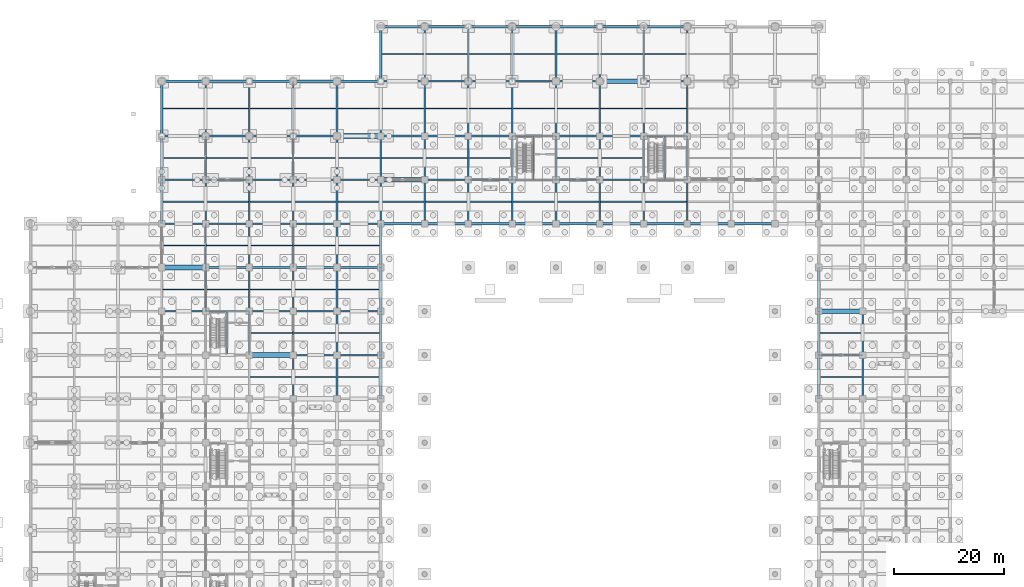
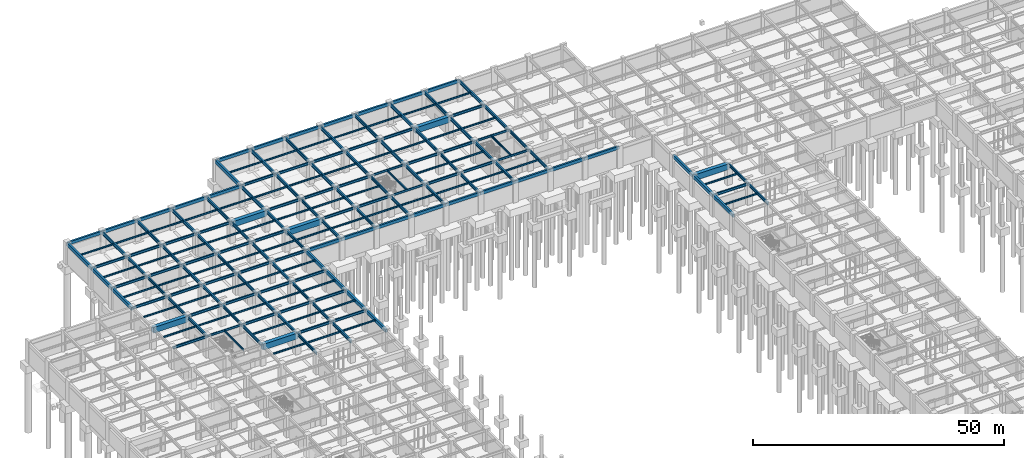
# One storey, part 63 of 97: 203 beams.
"""IFC4 building model written with IfcOpenShell, lengths in metres."""

from ifc_helpers import new_model, si_unit, direction, frame, origin, origin_2d, place, context, subcontext, project, spatial, rectangle, i_section, extrude, material, material_profile, profile_set, type_object, element, save


model = new_model("IFC4")

# Units and contexts
model_context = context("Model", 3, precision=1e-05, world=origin(), true_north=direction((0.0, 1.0)))
body_context = subcontext(model_context, "Body", "Model", "MODEL_VIEW")
ifc_project = project(units=[si_unit("LENGTHUNIT", "METRE"), si_unit("AREAUNIT", "SQUARE_METRE"), si_unit("VOLUMEUNIT", "CUBIC_METRE"), si_unit("PLANEANGLEUNIT", "RADIAN"), si_unit("MASSUNIT", "GRAM", prefix="KILO")], contexts=[model_context])

# Site, building, storey
site_placement = place(None, origin())
site = spatial("IfcSite", under=ifc_project, at=site_placement, CompositionType="ELEMENT")
building_placement = place(site_placement, origin())
building = spatial("IfcBuilding", under=site, at=building_placement, Name="Haebicheon Civic Stadium", CompositionType="ELEMENT")
storey_placement = place(building_placement, frame((0.0, 0.0, -5.39990234375)))
storey = spatial("IfcBuildingStorey", under=building, at=storey_placement, Name="B1", CompositionType="ELEMENT", Elevation=-5.39990234375)

# Beams
ifc_material_1 = material(Name="Steel SM355 (S355)", Category="steel")
ifc_material_profile_1 = material_profile(ifc_material_1, i_section(OverallWidth=0.199951171875, OverallDepth=0.5, WebThickness=0.010009765625, FlangeThickness=0.01611328125, at=origin_2d()), Name="H-500x200x10x16")
ifc_profile_set_1 = profile_set([ifc_material_profile_1], Name="Steel SM355 (S355)")
beam_type_1 = type_object("IfcBeamType", Name="BM-ST-H500", PredefinedType="BEAM", material=ifc_profile_set_1)
for number, where, z_axis, x_axis, name in (
    (1, (32.0, 136.0, 4.849853515625), (1.0, 0.0, 0.0), (0.0, 1.0, 0.0), "B1 beam T/5-6"),
    (2, (88.0, 160.0, 4.849853515625), (1.0, 0.0, 0.0), (0.0, 1.0, 0.0), "B1 beam W/12-13"),
    (3, (88.0, 168.0, 4.849853515625), (1.0, 0.0, 0.0), (0.0, 1.0, 0.0), "B1 beam X/12-13"),
    (4, (112.0, 160.0, 4.849853515625), (1.0, 0.0, 0.0), (0.0, 1.0, 0.0), "B1 beam W/15-16"),
    (5, (112.0, 168.0, 4.849853515625), (1.0, 0.0, 0.0), (0.0, 1.0, 0.0), "B1 beam X/15-16"),
):
    element("IfcBeam", number, at=place(storey_placement, frame(where, z_axis=z_axis, x_axis=x_axis)), inside=storey, type_object=beam_type_1, material=ifc_profile_set_1, Name=name, PredefinedType="BEAM", context=body_context, shape_type="SweptSolid", body=[
        extrude(i_section(OverallWidth=0.199951171875, OverallDepth=0.5, WebThickness=0.010009765625, FlangeThickness=0.01611328125, at=origin_2d()), origin(), (0.0, 0.0, 1.0), 8.0),
    ])
for number, where, z_axis, x_axis, name in (
    (6, (35.8798828125, 128.10009765625, 4.849853515625), (0.0, 1.0, 0.0), (-1.0, 0.0, 0.0), "B1 KC-05 core dividing wall support beam"),
    (7, (91.8798828125, 160.10009765625, 4.849853515625), (0.0, 1.0, 0.0), (-1.0, 0.0, 0.0), "B1 KC-08 core dividing wall support beam"),
    (8, (115.8798828125, 160.10009765625, 4.849853515625), (0.0, 1.0, 0.0), (-1.0, 0.0, 0.0), "B1 KC-09 core dividing wall support beam"),
):
    element("IfcBeam", number, at=place(storey_placement, frame(where, z_axis=z_axis, x_axis=x_axis)), inside=storey, type_object=beam_type_1, material=ifc_profile_set_1, Name=name, PredefinedType="BEAM", context=body_context, shape_type="SweptSolid", body=[
        extrude(i_section(OverallWidth=0.199951171875, OverallDepth=0.5, WebThickness=0.010009765625, FlangeThickness=0.01611328125, at=origin_2d()), origin(), (0.0, 0.0, 1.0), 7.7998046875),
    ])
ifc_material_2 = material(Name="Steel SM355 (S355)", Category="steel")
ifc_material_profile_2 = material_profile(ifc_material_2, i_section(OverallWidth=0.300048828125, OverallDepth=0.60009765625, WebThickness=0.011962890625, FlangeThickness=0.02001953125, at=origin_2d()), Name="H-600x300x12x20")
ifc_profile_set_2 = profile_set([ifc_material_profile_2], Name="Steel SM355 (S355)")
beam_type_2 = type_object("IfcBeamType", Name="BM-ST-H600A", PredefinedType="BEAM", material=ifc_profile_set_2)
for number, where, z_axis, x_axis, name in (
    (9, (24.0, 136.0, 4.7998046875), (1.0, 0.0, 0.0), (0.0, 1.0, 0.0), "B1 beam T/4-5"),
    (10, (24.0, 152.0, 4.7998046875), (1.0, 0.0, 0.0), (0.0, 1.0, 0.0), "B1 beam V/4-5"),
    (11, (24.0, 160.0, 4.7998046875), (1.0, 0.0, 0.0), (0.0, 1.0, 0.0), "B1 beam W/4-5"),
    (12, (24.0, 168.0, 4.7998046875), (1.0, 0.0, 0.0), (0.0, 1.0, 0.0), "B1 beam X/4-5"),
    (13, (32.0, 144.0, 4.7998046875), (1.0, 0.0, 0.0), (0.0, 1.0, 0.0), "B1 beam U/5-6"),
    (14, (32.0, 152.0, 4.7998046875), (1.0, 0.0, 0.0), (0.0, 1.0, 0.0), "B1 beam V/5-6"),
    (15, (32.0, 160.0, 4.7998046875), (1.0, 0.0, 0.0), (0.0, 1.0, 0.0), "B1 beam W/5-6"),
    (16, (32.0, 168.0, 4.7998046875), (1.0, 0.0, 0.0), (0.0, 1.0, 0.0), "B1 beam X/5-6"),
    (17, (40.0, 136.0, 4.7998046875), (1.0, 0.0, 0.0), (0.0, 1.0, 0.0), "B1 beam T/6-7"),
    (18, (40.0, 144.0, 4.7998046875), (1.0, 0.0, 0.0), (0.0, 1.0, 0.0), "B1 beam U/6-7"),
    (19, (40.0, 152.0, 4.7998046875), (1.0, 0.0, 0.0), (0.0, 1.0, 0.0), "B1 beam V/6-7"),
    (20, (40.0, 160.0, 4.7998046875), (1.0, 0.0, 0.0), (0.0, 1.0, 0.0), "B1 beam W/6-7"),
    (21, (40.0, 168.0, 4.7998046875), (1.0, 0.0, 0.0), (0.0, 1.0, 0.0), "B1 beam X/6-7"),
    (22, (48.0, 128.0, 4.7998046875), (1.0, 0.0, 0.0), (0.0, 1.0, 0.0), "B1 beam S/7-8"),
    (23, (48.0, 136.0, 4.7998046875), (1.0, 0.0, 0.0), (0.0, 1.0, 0.0), "B1 beam T/7-8"),
    (24, (48.0, 144.0, 4.7998046875), (1.0, 0.0, 0.0), (0.0, 1.0, 0.0), "B1 beam U/7-8"),
    (25, (48.0, 152.0, 4.7998046875), (1.0, 0.0, 0.0), (0.0, 1.0, 0.0), "B1 beam V/7-8"),
    (26, (48.0, 160.0, 4.7998046875), (1.0, 0.0, 0.0), (0.0, 1.0, 0.0), "B1 beam W/7-8"),
    (27, (48.0, 168.0, 4.7998046875), (1.0, 0.0, 0.0), (0.0, 1.0, 0.0), "B1 beam X/7-8"),
    (28, (56.0, 128.0, 4.7998046875), (1.0, 0.0, 0.0), (0.0, 1.0, 0.0), "B1 beam S/8-9"),
    (29, (56.0, 136.0, 4.7998046875), (1.0, 0.0, 0.0), (0.0, 1.0, 0.0), "B1 beam T/8-9"),
    (30, (56.0, 144.0, 4.7998046875), (1.0, 0.0, 0.0), (0.0, 1.0, 0.0), "B1 beam U/8-9"),
    (31, (56.0, 152.0, 4.7998046875), (1.0, 0.0, 0.0), (0.0, 1.0, 0.0), "B1 beam V/8-9"),
    (32, (56.0, 160.0, 4.7998046875), (1.0, 0.0, 0.0), (0.0, 1.0, 0.0), "B1 beam W/8-9"),
    (33, (64.0, 168.0, 4.7998046875), (1.0, 0.0, 0.0), (0.0, 1.0, 0.0), "B1 beam X/9-10"),
    (34, (64.0, 178.0, 4.7998046875), (1.0, 0.0, 0.0), (0.0, 1.0, 0.0), "B1 beam Y/9-10"),
    (35, (72.0, 160.0, 4.7998046875), (1.0, 0.0, 0.0), (0.0, 1.0, 0.0), "B1 beam W/10-11"),
    (36, (72.0, 168.0, 4.7998046875), (1.0, 0.0, 0.0), (0.0, 1.0, 0.0), "B1 beam X/10-11"),
    (37, (72.0, 178.0, 4.7998046875), (1.0, 0.0, 0.0), (0.0, 1.0, 0.0), "B1 beam Y/10-11"),
    (38, (80.0, 160.0, 4.7998046875), (1.0, 0.0, 0.0), (0.0, 1.0, 0.0), "B1 beam W/11-12"),
    (39, (80.0, 168.0, 4.7998046875), (1.0, 0.0, 0.0), (0.0, 1.0, 0.0), "B1 beam X/11-12"),
    (40, (80.0, 178.0, 4.7998046875), (1.0, 0.0, 0.0), (0.0, 1.0, 0.0), "B1 beam Y/11-12"),
    (41, (88.0, 178.0, 4.7998046875), (1.0, 0.0, 0.0), (0.0, 1.0, 0.0), "B1 beam Y/12-13"),
    (42, (96.0, 160.0, 4.7998046875), (1.0, 0.0, 0.0), (0.0, 1.0, 0.0), "B1 beam W/13-14"),
    (43, (96.0, 168.0, 4.7998046875), (1.0, 0.0, 0.0), (0.0, 1.0, 0.0), "B1 beam X/13-14"),
    (44, (96.0, 178.0, 4.7998046875), (1.0, 0.0, 0.0), (0.0, 1.0, 0.0), "B1 beam Y/13-14"),
    (45, (104.0, 160.0, 4.7998046875), (1.0, 0.0, 0.0), (0.0, 1.0, 0.0), "B1 beam W/14-15"),
    (46, (104.0, 168.0, 4.7998046875), (1.0, 0.0, 0.0), (0.0, 1.0, 0.0), "B1 beam X/14-15"),
    (47, (112.0, 178.0, 4.7998046875), (1.0, 0.0, 0.0), (0.0, 1.0, 0.0), "B1 beam Y/15-16"),
    (48, (144.0, 128.0, 4.7998046875), (1.0, 0.0, 0.0), (0.0, 1.0, 0.0), "B1 beam S/19-20"),
):
    element("IfcBeam", number, at=place(storey_placement, frame(where, z_axis=z_axis, x_axis=x_axis)), inside=storey, type_object=beam_type_2, material=ifc_profile_set_2, Name=name, PredefinedType="BEAM", context=body_context, shape_type="SweptSolid", body=[
        extrude(i_section(OverallWidth=0.300048828125, OverallDepth=0.60009765625, WebThickness=0.011962890625, FlangeThickness=0.02001953125, at=origin_2d()), origin(), (0.0, 0.0, 1.0), 8.0),
    ])
ifc_material_3 = material(Name="Steel SM490", Category="steel")
ifc_material_profile_3 = material_profile(ifc_material_3, i_section(OverallWidth=0.300048828125, OverallDepth=0.699951171875, WebThickness=0.012939453125, FlangeThickness=0.02392578125, at=origin_2d()), Name="H-700x300x13x24")
ifc_profile_set_3 = profile_set([ifc_material_profile_3], Name="Steel SM490")
beam_type_3 = type_object("IfcBeamType", Name="BM-ST-H700", PredefinedType="BEAM", material=ifc_profile_set_3)
for number, where, z_axis, x_axis, name in (
    (49, (32.0, 136.0, 4.75), (0.0, 1.0, 0.0), (-1.0, 0.0, 0.0), "B1 girder 5/T-U"),
    (50, (32.0, 144.0, 4.75), (0.0, 1.0, 0.0), (-1.0, 0.0, 0.0), "B1 girder 5/U-V"),
    (51, (32.0, 152.0, 4.75), (0.0, 1.0, 0.0), (-1.0, 0.0, 0.0), "B1 girder 5/V-W"),
    (52, (32.0, 160.0, 4.75), (0.0, 1.0, 0.0), (-1.0, 0.0, 0.0), "B1 girder 5/W-X"),
    (53, (40.0, 128.0, 4.75), (0.0, 1.0, 0.0), (-1.0, 0.0, 0.0), "B1 girder 6/S-T"),
    (54, (40.0, 136.0, 4.75), (0.0, 1.0, 0.0), (-1.0, 0.0, 0.0), "B1 girder 6/T-U"),
    (55, (40.0, 144.0, 4.75), (0.0, 1.0, 0.0), (-1.0, 0.0, 0.0), "B1 girder 6/U-V"),
    (56, (40.0, 152.0, 4.75), (0.0, 1.0, 0.0), (-1.0, 0.0, 0.0), "B1 girder 6/V-W"),
    (57, (40.0, 160.0, 4.75), (0.0, 1.0, 0.0), (-1.0, 0.0, 0.0), "B1 girder 6/W-X"),
    (58, (48.0, 120.0, 4.75), (0.0, 1.0, 0.0), (-1.0, 0.0, 0.0), "B1 girder 7/R-S"),
    (59, (48.0, 128.0, 4.75), (0.0, 1.0, 0.0), (-1.0, 0.0, 0.0), "B1 girder 7/S-T"),
    (60, (48.0, 136.0, 4.75), (0.0, 1.0, 0.0), (-1.0, 0.0, 0.0), "B1 girder 7/T-U"),
    (61, (48.0, 144.0, 4.75), (0.0, 1.0, 0.0), (-1.0, 0.0, 0.0), "B1 girder 7/U-V"),
    (62, (48.0, 152.0, 4.75), (0.0, 1.0, 0.0), (-1.0, 0.0, 0.0), "B1 girder 7/V-W"),
    (63, (48.0, 160.0, 4.75), (0.0, 1.0, 0.0), (-1.0, 0.0, 0.0), "B1 girder 7/W-X"),
    (64, (56.0, 120.0, 4.75), (0.0, 1.0, 0.0), (-1.0, 0.0, 0.0), "B1 girder 8/R-S"),
    (65, (56.0, 128.0, 4.75), (0.0, 1.0, 0.0), (-1.0, 0.0, 0.0), "B1 girder 8/S-T"),
    (66, (56.0, 136.0, 4.75), (0.0, 1.0, 0.0), (-1.0, 0.0, 0.0), "B1 girder 8/T-U"),
    (67, (56.0, 144.0, 4.75), (0.0, 1.0, 0.0), (-1.0, 0.0, 0.0), "B1 girder 8/U-V"),
    (68, (56.0, 152.0, 4.75), (0.0, 1.0, 0.0), (-1.0, 0.0, 0.0), "B1 girder 8/V-W"),
    (69, (56.0, 160.0, 4.75), (0.0, 1.0, 0.0), (-1.0, 0.0, 0.0), "B1 girder 8/W-X"),
    (70, (64.0, 152.0, 4.75), (0.0, 1.0, 0.0), (-1.0, 0.0, 0.0), "B1 girder 9/V-W"),
    (71, (64.0, 160.0, 4.75), (0.0, 1.0, 0.0), (-1.0, 0.0, 0.0), "B1 girder 9/W-X"),
    (72, (72.0, 152.0, 4.75), (0.0, 1.0, 0.0), (-1.0, 0.0, 0.0), "B1 girder 10/V-W"),
    (73, (72.0, 160.0, 4.75), (0.0, 1.0, 0.0), (-1.0, 0.0, 0.0), "B1 girder 10/W-X"),
    (74, (80.0, 152.0, 4.75), (0.0, 1.0, 0.0), (-1.0, 0.0, 0.0), "B1 girder 11/V-W"),
    (75, (80.0, 160.0, 4.75), (0.0, 1.0, 0.0), (-1.0, 0.0, 0.0), "B1 girder 11/W-X"),
    (76, (88.0, 152.0, 4.75), (0.0, 1.0, 0.0), (-1.0, 0.0, 0.0), "B1 girder 12/V-W"),
    (77, (88.0, 160.0, 4.75), (0.0, 1.0, 0.0), (-1.0, 0.0, 0.0), "B1 girder 12/W-X"),
    (78, (96.0, 152.0, 4.75), (0.0, 1.0, 0.0), (-1.0, 0.0, 0.0), "B1 girder 13/V-W"),
    (79, (96.0, 160.0, 4.75), (0.0, 1.0, 0.0), (-1.0, 0.0, 0.0), "B1 girder 13/W-X"),
    (80, (104.0, 152.0, 4.75), (0.0, 1.0, 0.0), (-1.0, 0.0, 0.0), "B1 girder 14/V-W"),
    (81, (104.0, 160.0, 4.75), (0.0, 1.0, 0.0), (-1.0, 0.0, 0.0), "B1 girder 14/W-X"),
    (82, (112.0, 152.0, 4.75), (0.0, 1.0, 0.0), (-1.0, 0.0, 0.0), "B1 girder 15/V-W"),
    (83, (112.0, 160.0, 4.75), (0.0, 1.0, 0.0), (-1.0, 0.0, 0.0), "B1 girder 15/W-X"),
    (84, (120.0, 152.0, 4.75), (0.0, 1.0, 0.0), (-1.0, 0.0, 0.0), "B1 girder 16/V-W"),
    (85, (120.0, 160.0, 4.75), (0.0, 1.0, 0.0), (-1.0, 0.0, 0.0), "B1 girder 16/W-X"),
    (86, (152.0, 120.0, 4.75), (0.0, 1.0, 0.0), (-1.0, 0.0, 0.0), "B1 girder 20/R-S"),
    (87, (152.0, 128.0, 4.75), (0.0, 1.0, 0.0), (-1.0, 0.0, 0.0), "B1 girder 20/S-T"),
):
    element("IfcBeam", number, at=place(storey_placement, frame(where, z_axis=z_axis, x_axis=x_axis)), inside=storey, type_object=beam_type_3, material=ifc_profile_set_3, Name=name, PredefinedType="BEAM", context=body_context, shape_type="SweptSolid", body=[
        extrude(i_section(OverallWidth=0.300048828125, OverallDepth=0.699951171875, WebThickness=0.012939453125, FlangeThickness=0.02392578125, at=origin_2d()), origin(), (0.0, 0.0, 1.0), 8.0),
    ])
ifc_material_4 = material(Name="Steel SM490", Category="steel")
ifc_material_profile_4 = material_profile(ifc_material_4, i_section(OverallWidth=0.300048828125, OverallDepth=0.800048828125, WebThickness=0.013916015625, FlangeThickness=0.02587890625, at=origin_2d()), Name="H-800x300x14x26")
ifc_profile_set_4 = profile_set([ifc_material_profile_4], Name="Steel SM490")
beam_type_4 = type_object("IfcBeamType", Name="BM-ST-H800", PredefinedType="BEAM", material=ifc_profile_set_4)
for number, where, z_axis, x_axis, name in (
    (88, (32.0, 168.0, 4.699951171875), (0.0, 1.0, 0.0), (-1.0, 0.0, 0.0), "B1 girder 5/X-Y"),
    (89, (40.0, 168.0, 4.699951171875), (0.0, 1.0, 0.0), (-1.0, 0.0, 0.0), "B1 girder 6/X-Y"),
    (90, (48.0, 168.0, 4.699951171875), (0.0, 1.0, 0.0), (-1.0, 0.0, 0.0), "B1 girder 7/X-Y"),
    (91, (56.0, 168.0, 4.699951171875), (0.0, 1.0, 0.0), (-1.0, 0.0, 0.0), "B1 girder 8/X-Y"),
    (92, (64.0, 168.0, 4.699951171875), (0.0, 1.0, 0.0), (-1.0, 0.0, 0.0), "B1 girder 9/X-Y"),
    (93, (72.0, 168.0, 4.699951171875), (0.0, 1.0, 0.0), (-1.0, 0.0, 0.0), "B1 girder 10/X-Y"),
    (94, (72.0, 178.0, 4.699951171875), (0.0, 1.0, 0.0), (-1.0, 0.0, 0.0), "B1 girder 10/Y-Z"),
    (95, (80.0, 168.0, 4.699951171875), (0.0, 1.0, 0.0), (-1.0, 0.0, 0.0), "B1 girder 11/X-Y"),
    (96, (80.0, 178.0, 4.699951171875), (0.0, 1.0, 0.0), (-1.0, 0.0, 0.0), "B1 girder 11/Y-Z"),
    (97, (88.0, 168.0, 4.699951171875), (0.0, 1.0, 0.0), (-1.0, 0.0, 0.0), "B1 girder 12/X-Y"),
    (98, (88.0, 178.0, 4.699951171875), (0.0, 1.0, 0.0), (-1.0, 0.0, 0.0), "B1 girder 12/Y-Z"),
    (99, (96.0, 168.0, 4.699951171875), (0.0, 1.0, 0.0), (-1.0, 0.0, 0.0), "B1 girder 13/X-Y"),
    (100, (96.0, 178.0, 4.699951171875), (0.0, 1.0, 0.0), (-1.0, 0.0, 0.0), "B1 girder 13/Y-Z"),
    (101, (104.0, 168.0, 4.699951171875), (0.0, 1.0, 0.0), (-1.0, 0.0, 0.0), "B1 girder 14/X-Y"),
    (102, (104.0, 178.0, 4.699951171875), (0.0, 1.0, 0.0), (-1.0, 0.0, 0.0), "B1 girder 14/Y-Z"),
    (103, (112.0, 168.0, 4.699951171875), (0.0, 1.0, 0.0), (-1.0, 0.0, 0.0), "B1 girder 15/X-Y"),
    (104, (112.0, 178.0, 4.699951171875), (0.0, 1.0, 0.0), (-1.0, 0.0, 0.0), "B1 girder 15/Y-Z"),
    (105, (120.0, 168.0, 4.699951171875), (0.0, 1.0, 0.0), (-1.0, 0.0, 0.0), "B1 girder 16/X-Y"),
    (106, (120.0, 178.0, 4.699951171875), (0.0, 1.0, 0.0), (-1.0, 0.0, 0.0), "B1 girder 16/Y-Z"),
):
    element("IfcBeam", number, at=place(storey_placement, frame(where, z_axis=z_axis, x_axis=x_axis)), inside=storey, type_object=beam_type_4, material=ifc_profile_set_4, Name=name, PredefinedType="BEAM", context=body_context, shape_type="SweptSolid", body=[
        extrude(i_section(OverallWidth=0.300048828125, OverallDepth=0.800048828125, WebThickness=0.013916015625, FlangeThickness=0.02587890625, at=origin_2d()), origin(), (0.0, 0.0, 1.0), 10.0),
    ])
ifc_material_5 = material(Name="Concrete C40/50", Category="concrete")
ifc_material_profile_5 = material_profile(ifc_material_5, rectangle(XDim=0.85009765625, YDim=1.39990234375, at=origin_2d()), Name="RC-TG-850x1400")
ifc_profile_set_5 = profile_set([ifc_material_profile_5], Name="Concrete C40/50")
beam_type_5 = type_object("IfcBeamType", Name="BM-TG-850x1400", PredefinedType="BEAM", material=ifc_profile_set_5)
for number, where, z_axis, x_axis, name in (
    (107, (24.0, 144.0, 4.39990234375), (1.0, 0.0, 0.0), (0.0, 1.0, 0.0), "B1 beam U/4-5"),
    (108, (40.0, 128.0, 4.39990234375), (1.0, 0.0, 0.0), (0.0, 1.0, 0.0), "B1 beam S/6-7"),
    (109, (56.0, 168.0, 4.39990234375), (1.0, 0.0, 0.0), (0.0, 1.0, 0.0), "B1 beam X/8-9"),
    (110, (64.0, 160.0, 4.39990234375), (1.0, 0.0, 0.0), (0.0, 1.0, 0.0), "B1 beam W/9-10"),
    (111, (104.0, 178.0, 4.39990234375), (1.0, 0.0, 0.0), (0.0, 1.0, 0.0), "B1 beam Y/14-15"),
    (112, (144.0, 136.0, 4.39990234375), (1.0, 0.0, 0.0), (0.0, 1.0, 0.0), "B1 beam T/19-20"),
):
    element("IfcBeam", number, at=place(storey_placement, frame(where, z_axis=z_axis, x_axis=x_axis)), inside=storey, type_object=beam_type_5, material=ifc_profile_set_5, Name=name, PredefinedType="BEAM", context=body_context, shape_type="SweptSolid", body=[
        extrude(rectangle(XDim=0.85009765625, YDim=1.39990234375, at=origin_2d()), origin(), (0.0, 0.0, 1.0), 8.0),
    ])
ifc_material_6 = material(Name="Steel SM355 (S355)", Category="steel")
ifc_material_profile_6 = material_profile(ifc_material_6, i_section(OverallWidth=0.199951171875, OverallDepth=0.39990234375, WebThickness=0.008056640625, FlangeThickness=0.012939453125, at=origin_2d()), Name="H-400x200x8x13")
ifc_profile_set_6 = profile_set([ifc_material_profile_6], Name="Steel SM355 (S355)")
beam_type_6 = type_object("IfcBeamType", Name="JST-ST-H400", PredefinedType="JOIST", material=ifc_profile_set_6)
for number, where, z_axis, x_axis, name in (
    (113, (24.14990234375, 140.0, 4.89990234375), (1.0, 0.0, 0.0), (0.0, 1.0, 0.0), "B1 secondary joist 03-17"),
    (114, (24.14990234375, 148.0, 4.89990234375), (1.0, 0.0, 0.0), (0.0, 1.0, 0.0), "B1 secondary joist 03-18"),
):
    element("IfcBeam", number, at=place(storey_placement, frame(where, z_axis=z_axis, x_axis=x_axis)), inside=storey, type_object=beam_type_6, material=ifc_profile_set_6, Name=name, PredefinedType="JOIST", context=body_context, shape_type="SweptSolid", body=[
        extrude(i_section(OverallWidth=0.199951171875, OverallDepth=0.39990234375, WebThickness=0.008056640625, FlangeThickness=0.012939453125, at=origin_2d()), origin(), (0.0, 0.0, 1.0), 7.7001953125),
    ])
for number, where, z_axis, x_axis, name in (
    (115, (24.22509765625, 156.0, 4.89990234375), (1.0, 0.0, 0.0), (0.0, 1.0, 0.0), "B1 secondary joist 03-19"),
    (116, (24.22509765625, 164.0, 4.89990234375), (1.0, 0.0, 0.0), (0.0, 1.0, 0.0), "B1 secondary joist 03-20"),
    (117, (24.22509765625, 173.0, 4.89990234375), (1.0, 0.0, 0.0), (0.0, 1.0, 0.0), "B1 secondary joist 03-21"),
):
    element("IfcBeam", number, at=place(storey_placement, frame(where, z_axis=z_axis, x_axis=x_axis)), inside=storey, type_object=beam_type_6, material=ifc_profile_set_6, Name=name, PredefinedType="JOIST", context=body_context, shape_type="SweptSolid", body=[
        extrude(i_section(OverallWidth=0.199951171875, OverallDepth=0.39990234375, WebThickness=0.008056640625, FlangeThickness=0.012939453125, at=origin_2d()), origin(), (0.0, 0.0, 1.0), 7.625),
    ])
for number, where, z_axis, x_axis, name in (
    (118, (32.14990234375, 140.0, 4.89990234375), (1.0, 0.0, 0.0), (0.0, 1.0, 0.0), "B1 secondary joist 04-17"),
    (119, (32.14990234375, 148.0, 4.89990234375), (1.0, 0.0, 0.0), (0.0, 1.0, 0.0), "B1 secondary joist 04-18"),
    (120, (32.14990234375, 156.0, 4.89990234375), (1.0, 0.0, 0.0), (0.0, 1.0, 0.0), "B1 secondary joist 04-19"),
    (121, (32.14990234375, 164.0, 4.89990234375), (1.0, 0.0, 0.0), (0.0, 1.0, 0.0), "B1 secondary joist 04-20"),
    (122, (32.14990234375, 173.0, 4.89990234375), (1.0, 0.0, 0.0), (0.0, 1.0, 0.0), "B1 secondary joist 04-21"),
    (123, (40.14990234375, 124.0, 4.89990234375), (1.0, 0.0, 0.0), (0.0, 1.0, 0.0), "B1 secondary joist 05-15"),
    (124, (40.14990234375, 132.0, 4.89990234375), (1.0, 0.0, 0.0), (0.0, 1.0, 0.0), "B1 secondary joist 05-16"),
    (125, (40.14990234375, 140.0, 4.89990234375), (1.0, 0.0, 0.0), (0.0, 1.0, 0.0), "B1 secondary joist 05-17"),
    (126, (40.14990234375, 148.0, 4.89990234375), (1.0, 0.0, 0.0), (0.0, 1.0, 0.0), "B1 secondary joist 05-18"),
    (127, (40.14990234375, 156.0, 4.89990234375), (1.0, 0.0, 0.0), (0.0, 1.0, 0.0), "B1 secondary joist 05-19"),
    (128, (40.14990234375, 164.0, 4.89990234375), (1.0, 0.0, 0.0), (0.0, 1.0, 0.0), "B1 secondary joist 05-20"),
    (129, (40.14990234375, 173.0, 4.89990234375), (1.0, 0.0, 0.0), (0.0, 1.0, 0.0), "B1 secondary joist 05-21"),
    (130, (48.14990234375, 124.0, 4.89990234375), (1.0, 0.0, 0.0), (0.0, 1.0, 0.0), "B1 secondary joist 06-15"),
    (131, (48.14990234375, 132.0, 4.89990234375), (1.0, 0.0, 0.0), (0.0, 1.0, 0.0), "B1 secondary joist 06-16"),
    (132, (48.14990234375, 140.0, 4.89990234375), (1.0, 0.0, 0.0), (0.0, 1.0, 0.0), "B1 secondary joist 06-17"),
    (133, (48.14990234375, 148.0, 4.89990234375), (1.0, 0.0, 0.0), (0.0, 1.0, 0.0), "B1 secondary joist 06-18"),
    (134, (48.14990234375, 156.0, 4.89990234375), (1.0, 0.0, 0.0), (0.0, 1.0, 0.0), "B1 secondary joist 06-19"),
    (135, (48.14990234375, 164.0, 4.89990234375), (1.0, 0.0, 0.0), (0.0, 1.0, 0.0), "B1 secondary joist 06-20"),
    (136, (48.14990234375, 173.0, 4.89990234375), (1.0, 0.0, 0.0), (0.0, 1.0, 0.0), "B1 secondary joist 06-21"),
):
    element("IfcBeam", number, at=place(storey_placement, frame(where, z_axis=z_axis, x_axis=x_axis)), inside=storey, type_object=beam_type_6, material=ifc_profile_set_6, Name=name, PredefinedType="JOIST", context=body_context, shape_type="SweptSolid", body=[
        extrude(i_section(OverallWidth=0.199951171875, OverallDepth=0.39990234375, WebThickness=0.008056640625, FlangeThickness=0.012939453125, at=origin_2d()), origin(), (0.0, 0.0, 1.0), 7.7001953125),
    ])
for number, where, z_axis, x_axis, name in (
    (137, (56.14990234375, 124.0, 4.89990234375), (1.0, 0.0, 0.0), (0.0, 1.0, 0.0), "B1 secondary joist 07-15"),
    (138, (56.14990234375, 132.0, 4.89990234375), (1.0, 0.0, 0.0), (0.0, 1.0, 0.0), "B1 secondary joist 07-16"),
    (139, (56.14990234375, 140.0, 4.89990234375), (1.0, 0.0, 0.0), (0.0, 1.0, 0.0), "B1 secondary joist 07-17"),
    (140, (56.14990234375, 148.0, 4.89990234375), (1.0, 0.0, 0.0), (0.0, 1.0, 0.0), "B1 secondary joist 07-18"),
):
    element("IfcBeam", number, at=place(storey_placement, frame(where, z_axis=z_axis, x_axis=x_axis)), inside=storey, type_object=beam_type_6, material=ifc_profile_set_6, Name=name, PredefinedType="JOIST", context=body_context, shape_type="SweptSolid", body=[
        extrude(i_section(OverallWidth=0.199951171875, OverallDepth=0.39990234375, WebThickness=0.008056640625, FlangeThickness=0.012939453125, at=origin_2d()), origin(), (0.0, 0.0, 1.0), 7.625),
    ])
for number, where, z_axis, x_axis, name in (
    (141, (56.14990234375, 156.0, 4.89990234375), (1.0, 0.0, 0.0), (0.0, 1.0, 0.0), "B1 secondary joist 07-19"),
    (142, (56.14990234375, 164.0, 4.89990234375), (1.0, 0.0, 0.0), (0.0, 1.0, 0.0), "B1 secondary joist 07-20"),
    (143, (56.14990234375, 173.0, 4.89990234375), (1.0, 0.0, 0.0), (0.0, 1.0, 0.0), "B1 secondary joist 07-21"),
    (144, (64.14990234375, 156.0, 4.89990234375), (1.0, 0.0, 0.0), (0.0, 1.0, 0.0), "B1 secondary joist 08-19"),
    (145, (64.14990234375, 164.0, 4.89990234375), (1.0, 0.0, 0.0), (0.0, 1.0, 0.0), "B1 secondary joist 08-20"),
    (146, (64.14990234375, 173.0, 4.89990234375), (1.0, 0.0, 0.0), (0.0, 1.0, 0.0), "B1 secondary joist 08-21"),
):
    element("IfcBeam", number, at=place(storey_placement, frame(where, z_axis=z_axis, x_axis=x_axis)), inside=storey, type_object=beam_type_6, material=ifc_profile_set_6, Name=name, PredefinedType="JOIST", context=body_context, shape_type="SweptSolid", body=[
        extrude(i_section(OverallWidth=0.199951171875, OverallDepth=0.39990234375, WebThickness=0.008056640625, FlangeThickness=0.012939453125, at=origin_2d()), origin(), (0.0, 0.0, 1.0), 7.7001953125),
    ])
beam_1_placement = place(storey_placement, frame((64.22509765625, 183.0, 4.89990234375), z_axis=(1.0, 0.0, 0.0), x_axis=(0.0, 1.0, 0.0)))
element("IfcBeam", 147, at=beam_1_placement, inside=storey, type_object=beam_type_6, material=ifc_profile_set_6, Name="B1 secondary joist 08-22", PredefinedType="JOIST", context=body_context, shape_type="SweptSolid", body=[
    extrude(i_section(OverallWidth=0.199951171875, OverallDepth=0.39990234375, WebThickness=0.008056640625, FlangeThickness=0.012939453125, at=origin_2d()), origin(), (0.0, 0.0, 1.0), 7.625),
])
for number, where, z_axis, x_axis, name in (
    (148, (72.14990234375, 156.0, 4.89990234375), (1.0, 0.0, 0.0), (0.0, 1.0, 0.0), "B1 secondary joist 09-19"),
    (149, (72.14990234375, 164.0, 4.89990234375), (1.0, 0.0, 0.0), (0.0, 1.0, 0.0), "B1 secondary joist 09-20"),
    (150, (72.14990234375, 173.0, 4.89990234375), (1.0, 0.0, 0.0), (0.0, 1.0, 0.0), "B1 secondary joist 09-21"),
    (151, (72.14990234375, 183.0, 4.89990234375), (1.0, 0.0, 0.0), (0.0, 1.0, 0.0), "B1 secondary joist 09-22"),
    (152, (80.14990234375, 156.0, 4.89990234375), (1.0, 0.0, 0.0), (0.0, 1.0, 0.0), "B1 secondary joist 10-19"),
    (153, (80.14990234375, 164.0, 4.89990234375), (1.0, 0.0, 0.0), (0.0, 1.0, 0.0), "B1 secondary joist 10-20"),
    (154, (80.14990234375, 173.0, 4.89990234375), (1.0, 0.0, 0.0), (0.0, 1.0, 0.0), "B1 secondary joist 10-21"),
    (155, (80.14990234375, 183.0, 4.89990234375), (1.0, 0.0, 0.0), (0.0, 1.0, 0.0), "B1 secondary joist 10-22"),
    (156, (88.14990234375, 156.0, 4.89990234375), (1.0, 0.0, 0.0), (0.0, 1.0, 0.0), "B1 secondary joist 11-19"),
    (157, (88.14990234375, 173.0, 4.89990234375), (1.0, 0.0, 0.0), (0.0, 1.0, 0.0), "B1 secondary joist 11-21"),
    (158, (88.14990234375, 183.0, 4.89990234375), (1.0, 0.0, 0.0), (0.0, 1.0, 0.0), "B1 secondary joist 11-22"),
    (159, (96.14990234375, 156.0, 4.89990234375), (1.0, 0.0, 0.0), (0.0, 1.0, 0.0), "B1 secondary joist 12-19"),
    (160, (96.14990234375, 164.0, 4.89990234375), (1.0, 0.0, 0.0), (0.0, 1.0, 0.0), "B1 secondary joist 12-20"),
    (161, (96.14990234375, 173.0, 4.89990234375), (1.0, 0.0, 0.0), (0.0, 1.0, 0.0), "B1 secondary joist 12-21"),
    (162, (96.14990234375, 183.0, 4.89990234375), (1.0, 0.0, 0.0), (0.0, 1.0, 0.0), "B1 secondary joist 12-22"),
    (163, (104.14990234375, 156.0, 4.89990234375), (1.0, 0.0, 0.0), (0.0, 1.0, 0.0), "B1 secondary joist 13-19"),
    (164, (104.14990234375, 164.0, 4.89990234375), (1.0, 0.0, 0.0), (0.0, 1.0, 0.0), "B1 secondary joist 13-20"),
    (165, (104.14990234375, 173.0, 4.89990234375), (1.0, 0.0, 0.0), (0.0, 1.0, 0.0), "B1 secondary joist 13-21"),
    (166, (104.14990234375, 183.0, 4.89990234375), (1.0, 0.0, 0.0), (0.0, 1.0, 0.0), "B1 secondary joist 13-22"),
    (167, (112.14990234375, 156.0, 4.89990234375), (1.0, 0.0, 0.0), (0.0, 1.0, 0.0), "B1 secondary joist 14-19"),
    (168, (112.14990234375, 173.0, 4.89990234375), (1.0, 0.0, 0.0), (0.0, 1.0, 0.0), "B1 secondary joist 14-21"),
    (169, (112.14990234375, 183.0, 4.89990234375), (1.0, 0.0, 0.0), (0.0, 1.0, 0.0), "B1 secondary joist 14-22"),
):
    element("IfcBeam", number, at=place(storey_placement, frame(where, z_axis=z_axis, x_axis=x_axis)), inside=storey, type_object=beam_type_6, material=ifc_profile_set_6, Name=name, PredefinedType="JOIST", context=body_context, shape_type="SweptSolid", body=[
        extrude(i_section(OverallWidth=0.199951171875, OverallDepth=0.39990234375, WebThickness=0.008056640625, FlangeThickness=0.012939453125, at=origin_2d()), origin(), (0.0, 0.0, 1.0), 7.7001953125),
    ])
for number, where, z_axis, x_axis, name in (
    (170, (144.22509765625, 124.0, 4.89990234375), (1.0, 0.0, 0.0), (0.0, 1.0, 0.0), "B1 secondary joist 18-15"),
    (171, (144.22509765625, 132.0, 4.89990234375), (1.0, 0.0, 0.0), (0.0, 1.0, 0.0), "B1 secondary joist 18-16"),
):
    element("IfcBeam", number, at=place(storey_placement, frame(where, z_axis=z_axis, x_axis=x_axis)), inside=storey, type_object=beam_type_6, material=ifc_profile_set_6, Name=name, PredefinedType="JOIST", context=body_context, shape_type="SweptSolid", body=[
        extrude(i_section(OverallWidth=0.199951171875, OverallDepth=0.39990234375, WebThickness=0.008056640625, FlangeThickness=0.012939453125, at=origin_2d()), origin(), (0.0, 0.0, 1.0), 7.625),
    ])
ifc_material_7 = material(Name="Concrete C40/50", Category="concrete")
ifc_material_profile_7 = material_profile(ifc_material_7, rectangle(XDim=0.39990234375, YDim=0.75, at=origin_2d()), Name="RC-SP-400x750")
ifc_profile_set_7 = profile_set([ifc_material_profile_7], Name="Concrete C40/50")
beam_type_7 = type_object("IfcBeamType", Name="SPD-RC-400x750", PredefinedType="SPANDREL", material=ifc_profile_set_7)
for number, where, z_axis, x_axis, name in (
    (172, (24.0, 178.0, 4.724853515625), (1.0, 0.0, 0.0), (0.0, 1.0, 0.0), "B1 beam Y/4-5"),
    (173, (32.0, 178.0, 4.724853515625), (1.0, 0.0, 0.0), (0.0, 1.0, 0.0), "B1 beam Y/5-6"),
    (174, (40.0, 178.0, 4.724853515625), (1.0, 0.0, 0.0), (0.0, 1.0, 0.0), "B1 beam Y/6-7"),
    (175, (48.0, 178.0, 4.724853515625), (1.0, 0.0, 0.0), (0.0, 1.0, 0.0), "B1 beam Y/7-8"),
    (176, (56.0, 178.0, 4.724853515625), (1.0, 0.0, 0.0), (0.0, 1.0, 0.0), "B1 beam Y/8-9"),
    (177, (64.0, 152.0, 4.724853515625), (1.0, 0.0, 0.0), (0.0, 1.0, 0.0), "B1 beam V/9-10"),
    (178, (64.0, 188.0, 4.724853515625), (1.0, 0.0, 0.0), (0.0, 1.0, 0.0), "B1 beam Z/9-10"),
    (179, (72.0, 152.0, 4.724853515625), (1.0, 0.0, 0.0), (0.0, 1.0, 0.0), "B1 beam V/10-11"),
    (180, (72.0, 188.0, 4.724853515625), (1.0, 0.0, 0.0), (0.0, 1.0, 0.0), "B1 beam Z/10-11"),
    (181, (80.0, 152.0, 4.724853515625), (1.0, 0.0, 0.0), (0.0, 1.0, 0.0), "B1 beam V/11-12"),
    (182, (80.0, 188.0, 4.724853515625), (1.0, 0.0, 0.0), (0.0, 1.0, 0.0), "B1 beam Z/11-12"),
    (183, (88.0, 152.0, 4.724853515625), (1.0, 0.0, 0.0), (0.0, 1.0, 0.0), "B1 beam V/12-13"),
    (184, (88.0, 188.0, 4.724853515625), (1.0, 0.0, 0.0), (0.0, 1.0, 0.0), "B1 beam Z/12-13"),
    (185, (96.0, 152.0, 4.724853515625), (1.0, 0.0, 0.0), (0.0, 1.0, 0.0), "B1 beam V/13-14"),
    (186, (96.0, 188.0, 4.724853515625), (1.0, 0.0, 0.0), (0.0, 1.0, 0.0), "B1 beam Z/13-14"),
    (187, (104.0, 152.0, 4.724853515625), (1.0, 0.0, 0.0), (0.0, 1.0, 0.0), "B1 beam V/14-15"),
    (188, (104.0, 188.0, 4.724853515625), (1.0, 0.0, 0.0), (0.0, 1.0, 0.0), "B1 beam Z/14-15"),
    (189, (112.0, 152.0, 4.724853515625), (1.0, 0.0, 0.0), (0.0, 1.0, 0.0), "B1 beam V/15-16"),
    (190, (112.0, 188.0, 4.724853515625), (1.0, 0.0, 0.0), (0.0, 1.0, 0.0), "B1 beam Z/15-16"),
    (191, (120.0, 152.0, 4.724853515625), (1.0, 0.0, 0.0), (0.0, 1.0, 0.0), "B1 beam V/16-17"),
    (192, (128.0, 152.0, 4.724853515625), (1.0, 0.0, 0.0), (0.0, 1.0, 0.0), "B1 beam V/17-18"),
):
    element("IfcBeam", number, at=place(storey_placement, frame(where, z_axis=z_axis, x_axis=x_axis)), inside=storey, type_object=beam_type_7, material=ifc_profile_set_7, Name=name, PredefinedType="SPANDREL", context=body_context, shape_type="SweptSolid", body=[
        extrude(rectangle(XDim=0.39990234375, YDim=0.75, at=origin_2d()), origin(), (0.0, 0.0, 1.0), 8.0),
    ])
ifc_material_8 = material(Name="Concrete C40/50", Category="concrete")
ifc_material_profile_8 = material_profile(ifc_material_8, rectangle(XDim=0.449951171875, YDim=0.85009765625, at=origin_2d()), Name="RC-SP-450x850")
ifc_profile_set_8 = profile_set([ifc_material_profile_8], Name="Concrete C40/50")
beam_type_8 = type_object("IfcBeamType", Name="SPD-RC-450x850", PredefinedType="SPANDREL", material=ifc_profile_set_8)
for number, where, z_axis, x_axis, name in (
    (193, (24.0, 152.0, 4.6748046875), (0.0, 1.0, 0.0), (-1.0, 0.0, 0.0), "B1 girder 4/V-W"),
    (194, (24.0, 160.0, 4.6748046875), (0.0, 1.0, 0.0), (-1.0, 0.0, 0.0), "B1 girder 4/W-X"),
):
    element("IfcBeam", number, at=place(storey_placement, frame(where, z_axis=z_axis, x_axis=x_axis)), inside=storey, type_object=beam_type_8, material=ifc_profile_set_8, Name=name, PredefinedType="SPANDREL", context=body_context, shape_type="SweptSolid", body=[
        extrude(rectangle(XDim=0.449951171875, YDim=0.85009765625, at=origin_2d()), origin(), (0.0, 0.0, 1.0), 8.0),
    ])
beam_2_placement = place(storey_placement, frame((24.0, 168.0, 4.6748046875), z_axis=(0.0, 1.0, 0.0), x_axis=(-1.0, 0.0, 0.0)))
element("IfcBeam", 195, at=beam_2_placement, inside=storey, type_object=beam_type_8, material=ifc_profile_set_8, Name="B1 girder 4/X-Y", PredefinedType="SPANDREL", context=body_context, shape_type="SweptSolid", body=[
    extrude(rectangle(XDim=0.449951171875, YDim=0.85009765625, at=origin_2d()), origin(), (0.0, 0.0, 1.0), 10.0),
])
for number, where, z_axis, x_axis, name in (
    (196, (64.0, 120.0, 4.6748046875), (0.0, 1.0, 0.0), (-1.0, 0.0, 0.0), "B1 girder 9/R-S"),
    (197, (64.0, 128.0, 4.6748046875), (0.0, 1.0, 0.0), (-1.0, 0.0, 0.0), "B1 girder 9/S-T"),
    (198, (64.0, 136.0, 4.6748046875), (0.0, 1.0, 0.0), (-1.0, 0.0, 0.0), "B1 girder 9/T-U"),
    (199, (64.0, 144.0, 4.6748046875), (0.0, 1.0, 0.0), (-1.0, 0.0, 0.0), "B1 girder 9/U-V"),
):
    element("IfcBeam", number, at=place(storey_placement, frame(where, z_axis=z_axis, x_axis=x_axis)), inside=storey, type_object=beam_type_8, material=ifc_profile_set_8, Name=name, PredefinedType="SPANDREL", context=body_context, shape_type="SweptSolid", body=[
        extrude(rectangle(XDim=0.449951171875, YDim=0.85009765625, at=origin_2d()), origin(), (0.0, 0.0, 1.0), 8.0),
    ])
beam_3_placement = place(storey_placement, frame((64.0, 178.0, 4.6748046875), z_axis=(0.0, 1.0, 0.0), x_axis=(-1.0, 0.0, 0.0)))
element("IfcBeam", 200, at=beam_3_placement, inside=storey, type_object=beam_type_8, material=ifc_profile_set_8, Name="B1 girder 9/Y-Z", PredefinedType="SPANDREL", context=body_context, shape_type="SweptSolid", body=[
    extrude(rectangle(XDim=0.449951171875, YDim=0.85009765625, at=origin_2d()), origin(), (0.0, 0.0, 1.0), 10.0),
])
for number, where, z_axis, x_axis, name in (
    (201, (144.0, 120.0, 4.6748046875), (0.0, 1.0, 0.0), (-1.0, 0.0, 0.0), "B1 girder 19/R-S"),
    (202, (144.0, 128.0, 4.6748046875), (0.0, 1.0, 0.0), (-1.0, 0.0, 0.0), "B1 girder 19/S-T"),
    (203, (144.0, 136.0, 4.6748046875), (0.0, 1.0, 0.0), (-1.0, 0.0, 0.0), "B1 girder 19/T-U"),
):
    element("IfcBeam", number, at=place(storey_placement, frame(where, z_axis=z_axis, x_axis=x_axis)), inside=storey, type_object=beam_type_8, material=ifc_profile_set_8, Name=name, PredefinedType="SPANDREL", context=body_context, shape_type="SweptSolid", body=[
        extrude(rectangle(XDim=0.449951171875, YDim=0.85009765625, at=origin_2d()), origin(), (0.0, 0.0, 1.0), 8.0),
    ])

save(model, "model.ifc")
